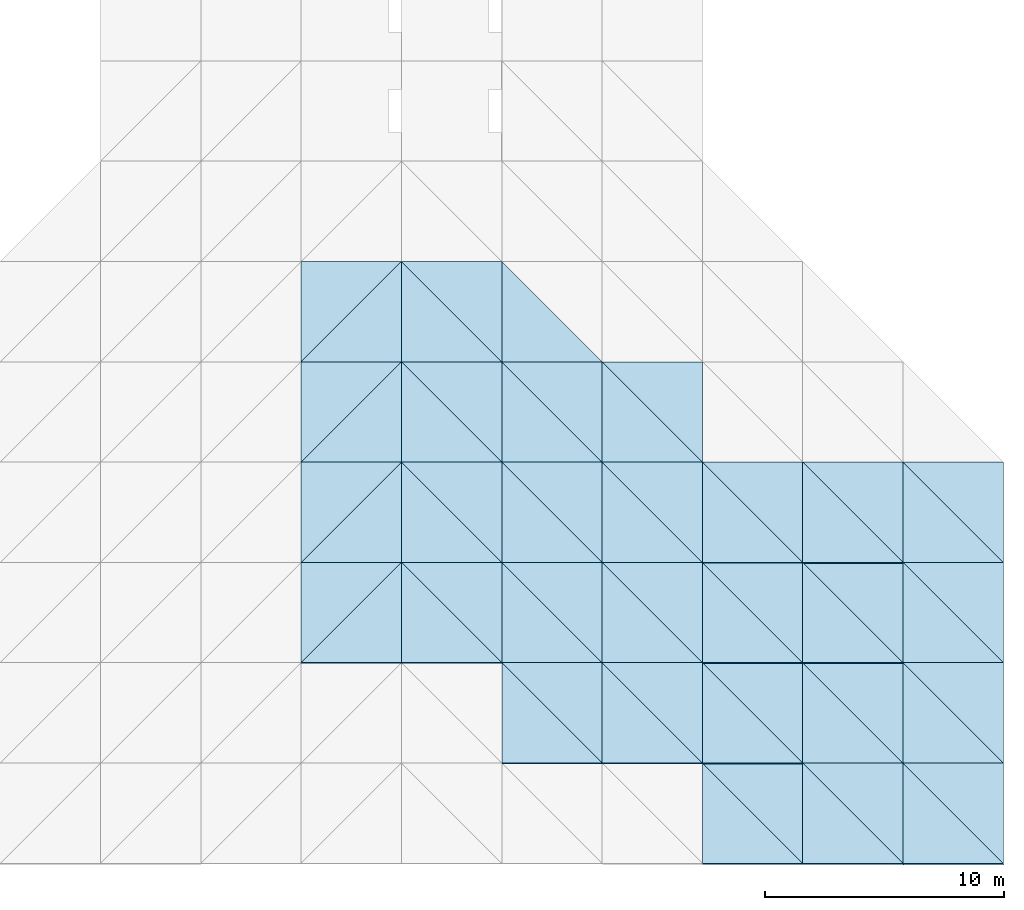
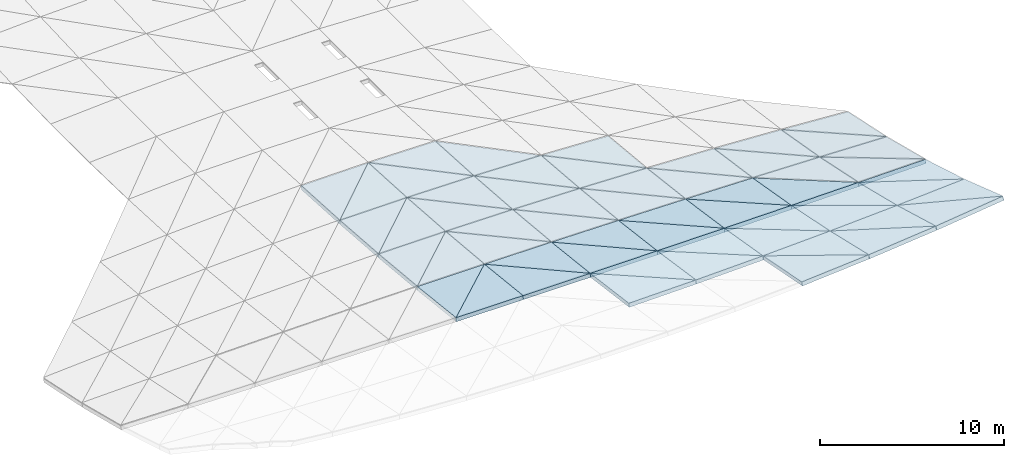
# One storey, part 22 of 64: 57 slabs.
"""IFC4 building model written with IfcOpenShell, lengths in metres."""

from ifc_helpers import new_model, si_unit, direction, frame, origin, place, context, subcontext, project, spatial, polyline, outline, extrude, material, layer, layer_set, type_object, element, save


model = new_model("IFC4")

# Units and contexts
model_context = context("Model", 3, precision=1e-05, world=origin(), true_north=direction((0.0, 1.0)))
body_context = subcontext(model_context, "Body", "Model", "MODEL_VIEW")
ifc_project = project(units=[si_unit("LENGTHUNIT", "METRE"), si_unit("AREAUNIT", "SQUARE_METRE"), si_unit("VOLUMEUNIT", "CUBIC_METRE"), si_unit("PLANEANGLEUNIT", "RADIAN"), si_unit("MASSUNIT", "GRAM", prefix="KILO")], contexts=[model_context])

# Site, building, storey
site_placement = place(None, origin())
site = spatial("IfcSite", under=ifc_project, at=site_placement, CompositionType="ELEMENT")
building_placement = place(site_placement, origin())
building = spatial("IfcBuilding", under=site, at=building_placement, Name="Cumbredor Promenade Congress Hotel", CompositionType="ELEMENT")
storey_placement = place(building_placement, frame((0.0, 0.0, 18.47998046875)))
storey = spatial("IfcBuildingStorey", under=building, at=storey_placement, Name="L05", CompositionType="ELEMENT", Elevation=18.47998046875)

# Slabs
ifc_material = material(Name="Concrete C40/50", Category="concrete")
ifc_layer = layer(ifc_material, 0.25, Name="Concrete C40/50", Category="concrete")
ifc_layer_set = layer_set([ifc_layer], Name="Concrete C40/50")
slab_type = type_object("IfcSlabType", Name="Catenary Space Frame Roof Deck 250mm", PredefinedType="ROOF", material=ifc_layer_set)
slab_1_placement = place(storey_placement, frame((159.60009765625, 8.39990234375, 1.863037109375), z_axis=(0.001328853117, 0.110057306226, 0.993924355017), x_axis=(0.999999106249, 0.0, -0.001336974914)))
element("IfcSlab", 1, at=slab_1_placement, inside=storey, type_object=slab_type, Name="Grand Ballroom Pavilion Sweeping Roof Deck Facet 6.3.1", PredefinedType="ROOF", context=body_context, shape_type="SweptSolid", body=[
    extrude(outline(polyline([(0.0, 0.0), (4.199954925590426, 0.0), (4.200576736432947, 4.225866422700114), (0.0, 0.0)])), origin(), (0.0, 0.0, -1.0), 0.25),
])
slab_2_placement = place(storey_placement, frame((159.60009765625, 8.39990234375, 1.863037109375), z_axis=(-0.002598780098, 0.113935446613, 0.993484755971), x_axis=(0.704876428447, 0.704917402488, -0.078997951174)))
element("IfcSlab", 2, at=slab_2_placement, inside=storey, type_object=slab_type, Name="Grand Ballroom Pavilion Sweeping Roof Deck Facet 6.3.2", PredefinedType="ROOF", context=body_context, shape_type="SweptSolid", body=[
    extrude(outline(polyline([(0.0, 0.0), (5.9584219337980695, -4.2327252813834093e-16), (2.9988432495284263, 2.9800343214729295), (0.0, 0.0)])), origin(), (0.0, 0.0, -1.0), 0.25),
])
slab_3_placement = place(storey_placement, frame((159.60009765625, 12.60009765625, 1.38134765625), z_axis=(-0.002604753796, 0.091860983861, 0.995768434377), x_axis=(0.999996578753, 0.0, 0.002615813872)))
element("IfcSlab", 3, at=slab_3_placement, inside=storey, type_object=slab_type, Name="Grand Ballroom Pavilion Sweeping Roof Deck Facet 6.4.1", PredefinedType="ROOF", context=body_context, shape_type="SweptSolid", body=[
    extrude(outline(polyline([(0.0, 0.0), (4.199965540994337, 0.0), (4.198952040844136, 4.217784635272283), (0.0, 0.0)])), origin(), (0.0, 0.0, -1.0), 0.25),
])
slab_4_placement = place(storey_placement, frame((159.60009765625, 12.60009765625, 1.38134765625), z_axis=(-0.005902205085, 0.095129658429, 0.995447392916), x_axis=(0.705690728944, 0.705690728944, -0.063254961578)))
element("IfcSlab", 4, at=slab_4_placement, inside=storey, type_object=slab_type, Name="Grand Ballroom Pavilion Sweeping Roof Deck Facet 6.4.2", PredefinedType="ROOF", context=body_context, shape_type="SweptSolid", body=[
    extrude(outline(polyline([(0.0, 0.0), (5.95154647724842, -2.255140518769849e-16), (2.989255070034826, 2.9774216348389313), (0.0, 0.0)])), origin(), (0.0, 0.0, -1.0), 0.25),
])
slab_5_placement = place(storey_placement, frame((159.60009765625, 16.800048828125, 0.97998046875), z_axis=(-0.005913003606, 0.073622691961, 0.997268637638), x_axis=(0.999982422767, 0.0, 0.005929094177)))
element("IfcSlab", 5, at=slab_5_placement, inside=storey, type_object=slab_type, Name="Grand Ballroom Pavilion Sweeping Roof Deck Facet 6.5.1", PredefinedType="ROOF", context=body_context, shape_type="SweptSolid", body=[
    extrude(outline(polyline([(0.0, 0.0), (4.200024996694476, 0.0), (4.19818663009183, 4.211380153595808), (0.0, 0.0)])), origin(), (0.0, 0.0, -1.0), 0.25),
])
slab_6_placement = place(storey_placement, frame((159.60009765625, 16.800048828125, 0.97998046875), z_axis=(-0.008519856159, 0.076215039786, 0.997055003378), x_axis=(0.706293290915, 0.706293290915, -0.047953878032)))
element("IfcSlab", 6, at=slab_6_placement, inside=storey, type_object=slab_type, Name="Grand Ballroom Pavilion Sweeping Roof Deck Facet 6.5.2", PredefinedType="ROOF", context=body_context, shape_type="SweptSolid", body=[
    extrude(outline(polyline([(0.0, 0.0), (5.946469017760241, -2.7755575615628914e-17), (2.9817926838902635, 2.975159168564669), (0.0, 0.0)])), origin(), (0.0, 0.0, -1.0), 0.25),
])
slab_7_placement = place(storey_placement, frame((159.60009765625, 21.0, 0.658935546875), z_axis=(-0.008531629051, 0.055310493103, 0.998432752196), x_axis=(0.999963493305, 0.0, 0.008544709267)))
element("IfcSlab", 7, at=slab_7_placement, inside=storey, type_object=slab_type, Name="Grand Ballroom Pavilion Sweeping Roof Deck Facet 6.6.1", PredefinedType="ROOF", context=body_context, shape_type="SweptSolid", body=[
    extrude(outline(polyline([(0.0, 0.0), (4.200104503807392, 0.0), (4.198116440347624, 4.206390301501358), (0.0, 0.0)])), origin(), (0.0, 0.0, -1.0), 0.25),
])
slab_8_placement = place(storey_placement, frame((159.60009765625, 21.0, 0.658935546875), z_axis=(-0.010445577254, 0.05721855096, 0.998307030598), x_axis=(0.706719051196, 0.706719051196, -0.0331114082)))
element("IfcSlab", 8, at=slab_8_placement, inside=storey, type_object=slab_type, Name="Grand Ballroom Pavilion Sweeping Roof Deck Facet 6.6.2", PredefinedType="ROOF", context=body_context, shape_type="SweptSolid", body=[
    extrude(outline(polyline([(0.0, 0.0), (5.94288658946826, 3.469446951953614e-18), (2.9761561733914985, 2.973219076178195), (0.0, 0.0)])), origin(), (0.0, 0.0, -1.0), 0.25),
])
slab_9_placement = place(storey_placement, frame((163.800048828125, 8.39990234375, 1.857421875), z_axis=(-0.001328853117, 0.110057306226, 0.993924355017), x_axis=(0.999999106249, 0.0, 0.001336974914)))
element("IfcSlab", 9, at=slab_9_placement, inside=storey, type_object=slab_type, Name="Grand Ballroom Pavilion Sweeping Roof Deck Facet 7.3.1", PredefinedType="ROOF", context=body_context, shape_type="SweptSolid", body=[
    extrude(outline(polyline([(0.0, 0.0), (4.199954925590426, 0.0), (-0.0006218108425215082, 4.225866422700114), (0.0, 0.0)])), origin(), (0.0, 0.0, -1.0), 0.25),
])
slab_10_placement = place(storey_placement, frame((168.0, 8.39990234375, 1.863037109375), z_axis=(0.002598780098, 0.113935446613, 0.993484755971), x_axis=(0.0, 0.993488110816, -0.113935831356)))
element("IfcSlab", 10, at=slab_10_placement, inside=storey, type_object=slab_type, Name="Grand Ballroom Pavilion Sweeping Roof Deck Facet 7.3.2", PredefinedType="ROOF", context=body_context, shape_type="SweptSolid", body=[
    extrude(outline(polyline([(0.0, 0.0), (4.227725794372056, 2.168404344971009e-19), (4.226474057943589, 4.199965354463746), (0.0, 0.0)])), origin(), (0.0, 0.0, -1.0), 0.25),
])
slab_11_placement = place(storey_placement, frame((163.800048828125, 12.60009765625, 1.392333984375), z_axis=(0.002604753796, 0.091860983861, 0.995768434377), x_axis=(0.999996578753, 0.0, -0.002615813872)))
element("IfcSlab", 11, at=slab_11_placement, inside=storey, type_object=slab_type, Name="Grand Ballroom Pavilion Sweeping Roof Deck Facet 7.4.1", PredefinedType="ROOF", context=body_context, shape_type="SweptSolid", body=[
    extrude(outline(polyline([(0.0, 0.0), (4.199965540994337, 0.0), (0.001013500150200461, 4.217784635272283), (0.0, 0.0)])), origin(), (0.0, 0.0, -1.0), 0.25),
])
slab_12_placement = place(storey_placement, frame((168.0, 12.60009765625, 1.38134765625), z_axis=(0.005902205085, 0.095129658429, 0.995447392916), x_axis=(0.0, 0.995464732084, -0.095131315442)))
element("IfcSlab", 12, at=slab_12_placement, inside=storey, type_object=slab_type, Name="Grand Ballroom Pavilion Sweeping Roof Deck Facet 7.4.2", PredefinedType="ROOF", context=body_context, shape_type="SweptSolid", body=[
    extrude(outline(polyline([(0.0, 0.0), (4.219085856596882, 4.336808689942018e-19), (4.21671686387836, 4.2000243285881025), (0.0, 0.0)])), origin(), (0.0, 0.0, -1.0), 0.25),
])
slab_13_placement = place(storey_placement, frame((163.800048828125, 16.800048828125, 1.0048828125), z_axis=(0.005913003606, 0.073622691961, 0.997268637638), x_axis=(0.999982422767, 0.0, -0.005929094177)))
element("IfcSlab", 13, at=slab_13_placement, inside=storey, type_object=slab_type, Name="Grand Ballroom Pavilion Sweeping Roof Deck Facet 7.5.1", PredefinedType="ROOF", context=body_context, shape_type="SweptSolid", body=[
    extrude(outline(polyline([(0.0, 0.0), (4.200024996694476, 0.0), (0.0018383666026466196, 4.211380153595807), (0.0, 0.0)])), origin(), (0.0, 0.0, -1.0), 0.25),
])
slab_14_placement = place(storey_placement, frame((168.0, 16.800048828125, 0.97998046875), z_axis=(0.008519856159, 0.076215039786, 0.997055003378), x_axis=(0.0, 0.997091192437, -0.076217806084)))
element("IfcSlab", 14, at=slab_14_placement, inside=storey, type_object=slab_type, Name="Grand Ballroom Pavilion Sweeping Roof Deck Facet 7.5.2", PredefinedType="ROOF", context=body_context, shape_type="SweptSolid", body=[
    extrude(outline(polyline([(0.0, 0.0), (4.21220366174238, 0.0), (4.209468305908816, 4.200103613094754), (0.0, 0.0)])), origin(), (0.0, 0.0, -1.0), 0.25),
])
slab_15_placement = place(storey_placement, frame((163.800048828125, 21.0, 0.69482421875), z_axis=(0.008531629051, 0.055310493103, 0.998432752196), x_axis=(0.999963493305, 0.0, -0.008544709267)))
element("IfcSlab", 15, at=slab_15_placement, inside=storey, type_object=slab_type, Name="Grand Ballroom Pavilion Sweeping Roof Deck Facet 7.6.1", PredefinedType="ROOF", context=body_context, shape_type="SweptSolid", body=[
    extrude(outline(polyline([(0.0, 0.0), (4.200104503807392, 0.0), (0.001988063459768659, 4.206390301501358), (0.0, 0.0)])), origin(), (0.0, 0.0, -1.0), 0.25),
])
slab_16_placement = place(storey_placement, frame((168.0, 21.0, 0.658935546875), z_axis=(0.010445577254, 0.05721855096, 0.998307030598), x_axis=(0.0, 0.998361497738, -0.057221672776)))
element("IfcSlab", 16, at=slab_16_placement, inside=storey, type_object=slab_type, Name="Grand Ballroom Pavilion Sweeping Roof Deck Facet 7.6.2", PredefinedType="ROOF", context=body_context, shape_type="SweptSolid", body=[
    extrude(outline(polyline([(0.0, 0.0), (4.20684409544331, 0.0), (4.204329471151387, 4.2001803191398315), (0.0, 0.0)])), origin(), (0.0, 0.0, -1.0), 0.25),
])
slab_17_placement = place(storey_placement, frame((168.0, 4.199951171875, 2.425048828125), z_axis=(-0.017742887004, 0.132610798325, 0.991009367326), x_axis=(0.999839764528, 0.0, 0.017900985146)))
element("IfcSlab", 17, at=slab_17_placement, inside=storey, type_object=slab_type, Name="Grand Ballroom Pavilion Sweeping Roof Deck Facet 8.2.1", PredefinedType="ROOF", context=body_context, shape_type="SweptSolid", body=[
    extrude(outline(polyline([(0.0, 0.0), (4.200624260887441, 1.734723475976807e-18), (-0.010060563429479457, 4.237374871687658), (0.0, 0.0)])), origin(), (0.0, 0.0, -1.0), 0.25),
])
slab_18_placement = place(storey_placement, frame((172.199951171875, 4.199951171875, 2.500244140625), z_axis=(-0.004025384366, 0.146063947006, 0.989266960767), x_axis=(0.0, 0.989274975767, -0.14606513041)))
element("IfcSlab", 18, at=slab_18_placement, inside=storey, type_object=slab_type, Name="Grand Ballroom Pavilion Sweeping Roof Deck Facet 8.2.2", PredefinedType="ROOF", context=body_context, shape_type="SweptSolid", body=[
    extrude(outline(polyline([(0.0, 0.0), (4.245484091639857, 0.0), (4.247980321895891, 4.199985199703458), (0.0, 0.0)])), origin(), (0.0, 0.0, -1.0), 0.25),
])
slab_19_placement = place(storey_placement, frame((168.0, 8.39990234375, 1.863037109375), z_axis=(-0.004042527438, 0.11393490038, 0.993479992978), x_axis=(0.999991721487, 0.0, 0.004069024037)))
element("IfcSlab", 19, at=slab_19_placement, inside=storey, type_object=slab_type, Name="Grand Ballroom Pavilion Sweeping Roof Deck Facet 8.3.1", PredefinedType="ROOF", context=body_context, shape_type="SweptSolid", body=[
    extrude(outline(polyline([(0.0, 0.0), (4.1999859415114225, -2.168404344971009e-19), (-0.001960005963012058, 4.227725340035166), (0.0, 0.0)])), origin(), (0.0, 0.0, -1.0), 0.25),
])
slab_20_placement = place(storey_placement, frame((172.199951171875, 8.39990234375, 1.880126953125), z_axis=(0.007727484194, 0.125535486958, 0.992059034283), x_axis=(0.0, 0.992088655522, -0.12553923524)))
element("IfcSlab", 20, at=slab_20_placement, inside=storey, type_object=slab_type, Name="Grand Ballroom Pavilion Sweeping Roof Deck Facet 8.3.2", PredefinedType="ROOF", context=body_context, shape_type="SweptSolid", body=[
    extrude(outline(polyline([(0.0, 0.0), (4.233689488456338, 0.0), (4.2295824919909615, 4.200076575458572), (0.0, 0.0)])), origin(), (0.0, 0.0, -1.0), 0.25),
])
slab_21_placement = place(storey_placement, frame((168.0, 12.60009765625, 1.38134765625), z_axis=(0.007753779236, 0.0951284557, 0.99543480742), x_axis=(0.999969664479, 0.0, -0.007789102775)))
element("IfcSlab", 21, at=slab_21_placement, inside=storey, type_object=slab_type, Name="Grand Ballroom Pavilion Sweeping Roof Deck Facet 8.4.1", PredefinedType="ROOF", context=body_context, shape_type="SweptSolid", body=[
    extrude(outline(polyline([(0.0, 0.0), (4.200078583447668, 0.0), (0.003126290273993169, 4.21908469832557), (0.0, 0.0)])), origin(), (0.0, 0.0, -1.0), 0.25),
])
slab_22_placement = place(storey_placement, frame((172.199951171875, 12.60009765625, 1.3486328125), z_axis=(0.017571191108, 0.104849146938, 0.994332896785), x_axis=(0.0, 0.994486430867, -0.104865336604)))
element("IfcSlab", 22, at=slab_22_placement, inside=storey, type_object=slab_type, Name="Grand Ballroom Pavilion Sweeping Roof Deck Facet 8.4.2", PredefinedType="ROOF", context=body_context, shape_type="SweptSolid", body=[
    extrude(outline(polyline([(0.0, 0.0), (4.2232362770526475, -8.673617379884035e-19), (4.215453302851594, 4.20059968269988), (0.0, 0.0)])), origin(), (0.0, 0.0, -1.0), 0.25),
])
slab_23_placement = place(storey_placement, frame((168.0, 16.800048828125, 0.97998046875), z_axis=(0.017617199354, 0.076205977469, 0.99693644897), x_axis=(0.999843898494, 0.0, -0.017668577873)))
element("IfcSlab", 23, at=slab_23_placement, inside=storey, type_object=slab_type, Name="Grand Ballroom Pavilion Sweeping Roof Deck Facet 8.5.1", PredefinedType="ROOF", context=body_context, shape_type="SweptSolid", body=[
    extrude(outline(polyline([(0.0, 0.0), (4.200606892936514, -8.673617379884035e-19), (0.005672407202748996, 4.21219984233802), (0.0, 0.0)])), origin(), (0.0, 0.0, -1.0), 0.25),
])
slab_24_placement = place(storey_placement, frame((172.199951171875, 16.800048828125, 0.90576171875), z_axis=(0.025478163605, 0.084020034981, 0.996138292056), x_axis=(0.0, 0.99646176457, -0.084047318514)))
element("IfcSlab", 24, at=slab_24_placement, inside=storey, type_object=slab_type, Name="Grand Ballroom Pavilion Sweeping Roof Deck Facet 8.5.2", PredefinedType="ROOF", context=body_context, shape_type="SweptSolid", body=[
    extrude(outline(polyline([(0.0, 0.0), (4.214864354264433, 1.734723475976807e-18), (4.2058358337209665, 4.201315007373227), (0.0, 0.0)])), origin(), (0.0, 0.0, -1.0), 0.25),
])
slab_25_placement = place(storey_placement, frame((168.0, 21.0, 0.658935546875), z_axis=(0.025526705562, 0.057203026554, 0.998036172218), x_axis=(0.999673070611, 0.0, -0.025568572404)))
element("IfcSlab", 25, at=slab_25_placement, inside=storey, type_object=slab_type, Name="Grand Ballroom Pavilion Sweeping Roof Deck Facet 8.6.1", PredefinedType="ROOF", context=body_context, shape_type="SweptSolid", body=[
    extrude(outline(polyline([(0.0, 0.0), (4.201324708394092, 0.0), (0.006154934665652094, 4.206839592870818), (0.0, 0.0)])), origin(), (0.0, 0.0, -1.0), 0.25),
])
slab_26_placement = place(storey_placement, frame((172.199951171875, 4.199951171875, 2.500244140625), z_axis=(-0.029545158149, 0.14600136517, 0.988843104339), x_axis=(0.99955393597, 0.0, 0.029865181834)))
element("IfcSlab", 26, at=slab_26_placement, inside=storey, type_object=slab_type, Name="Grand Ballroom Pavilion Sweeping Roof Deck Facet 9.2.1", PredefinedType="ROOF", context=body_context, shape_type="SweptSolid", body=[
    extrude(outline(polyline([(0.0, 0.0), (4.201825455068936, 0.0), (-0.01851991256302252, 4.245443697095246), (0.0, 0.0)])), origin(), (0.0, 0.0, -1.0), 0.25),
])
slab_27_placement = place(storey_placement, frame((176.39990234375, 4.199951171875, 2.625732421875), z_axis=(-0.006703986431, 0.168287249121, 0.98571520144), x_axis=(0.0, 0.985737352899, -0.168291030952)))
element("IfcSlab", 27, at=slab_27_placement, inside=storey, type_object=slab_type, Name="Grand Ballroom Pavilion Sweeping Roof Deck Facet 9.2.2", PredefinedType="ROOF", context=body_context, shape_type="SweptSolid", body=[
    extrude(outline(polyline([(0.0, 0.0), (4.260720322225189, 8.673617379884035e-19), (4.265527463490172, 4.2000455551707265), (0.0, 0.0)])), origin(), (0.0, 0.0, -1.0), 0.25),
])
slab_28_placement = place(storey_placement, frame((172.199951171875, 8.39990234375, 1.880126953125), z_axis=(-0.006747179594, 0.125536377656, 0.992066073128), x_axis=(0.999976873054, 0.0, 0.006800982047)))
element("IfcSlab", 28, at=slab_28_placement, inside=storey, type_object=slab_type, Name="Grand Ballroom Pavilion Sweeping Roof Deck Facet 9.3.1", PredefinedType="ROOF", context=body_context, shape_type="SweptSolid", body=[
    extrude(outline(polyline([(0.0, 0.0), (4.200048306164646, 0.0), (-0.0036146821082537867, 4.233687945366184), (0.0, 0.0)])), origin(), (0.0, 0.0, -1.0), 0.25),
])
slab_29_placement = place(storey_placement, frame((176.39990234375, 8.39990234375, 1.90869140625), z_axis=(0.012825256023, 0.14475019298, 0.989385109267), x_axis=(0.0, 0.989466489896, -0.144762099225)))
element("IfcSlab", 29, at=slab_29_placement, inside=storey, type_object=slab_type, Name="Grand Ballroom Pavilion Sweeping Roof Deck Facet 9.3.2", PredefinedType="ROOF", context=body_context, shape_type="SweptSolid", body=[
    extrude(outline(polyline([(0.0, 0.0), (4.244909105451071, 8.673617379884035e-19), (4.237027770459077, 4.200296633581129), (0.0, 0.0)])), origin(), (0.0, 0.0, -1.0), 0.25),
])
slab_30_placement = place(storey_placement, frame((172.199951171875, 12.60009765625, 1.3486328125), z_axis=(0.012890312655, 0.104856624021, 0.994403805422), x_axis=(0.999915992778, 0.0, -0.012961766342)))
element("IfcSlab", 30, at=slab_30_placement, inside=storey, type_object=slab_type, Name="Grand Ballroom Pavilion Sweeping Roof Deck Facet 9.4.1", PredefinedType="ROOF", context=body_context, shape_type="SweptSolid", body=[
    extrude(outline(polyline([(0.0, 0.0), (4.20030402774778, 0.0), (0.005740391637021378, 4.2232323757659085), (0.0, 0.0)])), origin(), (0.0, 0.0, -1.0), 0.25),
])
slab_31_placement = place(storey_placement, frame((176.39990234375, 12.60009765625, 1.294189453125), z_axis=(0.029242340256, 0.121006765005, 0.992220866722), x_axis=(0.0, 0.992645370198, -0.121058535527)))
element("IfcSlab", 31, at=slab_31_placement, inside=storey, type_object=slab_type, Name="Grand Ballroom Pavilion Sweeping Roof Deck Facet 9.4.2", PredefinedType="ROOF", context=body_context, shape_type="SweptSolid", body=[
    extrude(outline(polyline([(0.0, 0.0), (4.23106911891027, -1.734723475976807e-18), (4.216084578501985, 4.201748043852441), (0.0, 0.0)])), origin(), (0.0, 0.0, -1.0), 0.25),
])
slab_32_placement = place(storey_placement, frame((172.199951171875, 16.800048828125, 0.90576171875), z_axis=(0.029354670726, 0.084011099061, 0.99603234814), x_axis=(0.999565994989, 0.0, -0.029458812966)))
element("IfcSlab", 32, at=slab_32_placement, inside=storey, type_object=slab_type, Name="Grand Ballroom Pavilion Sweeping Roof Deck Facet 9.5.1", PredefinedType="ROOF", context=body_context, shape_type="SweptSolid", body=[
    extrude(outline(polyline([(0.0, 0.0), (4.201774763176752, 0.0), (0.01043572695657247, 4.214851435157807), (0.0, 0.0)])), origin(), (0.0, 0.0, -1.0), 0.25),
])
slab_33_placement = place(storey_placement, frame((176.39990234375, 16.800048828125, 0.781982421875), z_axis=(0.042427203509, 0.096992980229, 0.9943803569), x_axis=(0.0, 0.995276542908, -0.097080395222)))
element("IfcSlab", 33, at=slab_33_placement, inside=storey, type_object=slab_type, Name="Grand Ballroom Pavilion Sweeping Roof Deck Facet 9.5.2", PredefinedType="ROOF", context=body_context, shape_type="SweptSolid", body=[
    extrude(outline(polyline([(0.0, 0.0), (4.2198836110435485, 0.0), (4.202486880063865, 4.2037363808742825), (0.0, 0.0)])), origin(), (0.0, 0.0, -1.0), 0.25),
])
slab_34_placement = place(storey_placement, frame((176.39990234375, 0.0, 3.445068359375), z_axis=(-0.077017025441, 0.190904107855, 0.97858264822), x_axis=(0.996917261958, 0.0, 0.078460007713)))
element("IfcSlab", 34, at=slab_34_placement, inside=storey, type_object=slab_type, Name="Grand Ballroom Pavilion Sweeping Roof Deck Facet 10.1.1", PredefinedType="ROOF", context=body_context, shape_type="SweptSolid", body=[
    extrude(outline(polyline([(0.0, 0.0), (4.213183453410024, 0.0), (-0.06428510397562583, 4.278640981669301), (0.0, 0.0)])), origin(), (0.0, 0.0, -1.0), 0.25),
])
slab_35_placement = place(storey_placement, frame((180.60009765625, 0.0, 3.775634765625), z_axis=(-0.040677695576, 0.225805452077, 0.973322774261), x_axis=(0.0, 0.974129041372, -0.225992501547)))
element("IfcSlab", 35, at=slab_35_placement, inside=storey, type_object=slab_type, Name="Grand Ballroom Pavilion Sweeping Roof Deck Facet 10.1.2", PredefinedType="ROOF", context=body_context, shape_type="SweptSolid", body=[
    extrude(outline(polyline([(0.0, 0.0), (4.311493645605063, 6.938893903907228e-18), (4.351163716067078, 4.20367460984128), (0.0, 0.0)])), origin(), (0.0, 0.0, -1.0), 0.25),
])
slab_36_placement = place(storey_placement, frame((176.39990234375, 4.199951171875, 2.625732421875), z_axis=(-0.041161619171, 0.168148404543, 0.984901941899), x_axis=(0.999127831372, 0.0, 0.04175615617)))
element("IfcSlab", 36, at=slab_36_placement, inside=storey, type_object=slab_type, Name="Grand Ballroom Pavilion Sweeping Roof Deck Facet 10.2.1", PredefinedType="ROOF", context=body_context, shape_type="SweptSolid", body=[
    extrude(outline(polyline([(0.0, 0.0), (4.203861788869219, 0.0), (-0.02994087662905381, 4.260615120863348), (0.0, 0.0)])), origin(), (0.0, 0.0, -1.0), 0.25),
])
slab_37_placement = place(storey_placement, frame((180.60009765625, 4.199951171875, 2.80126953125), z_axis=(-0.009341734827, 0.1989221602, 0.979970768019), x_axis=(0.0, 0.980013530867, -0.198930840539)))
element("IfcSlab", 37, at=slab_37_placement, inside=storey, type_object=slab_type, Name="Grand Ballroom Pavilion Sweeping Roof Deck Facet 10.2.2", PredefinedType="ROOF", context=body_context, shape_type="SweptSolid", body=[
    extrude(outline(polyline([(0.0, 0.0), (4.285605289713761, 0.0), (4.293570294071269, 4.200378595838528), (0.0, 0.0)])), origin(), (0.0, 0.0, -1.0), 0.25),
])
slab_38_placement = place(storey_placement, frame((176.39990234375, 8.39990234375, 1.90869140625), z_axis=(-0.009431834826, 0.144755660099, 0.989422477691), x_axis=(0.999954567228, 0.0, 0.009532233726)))
element("IfcSlab", 38, at=slab_38_placement, inside=storey, type_object=slab_type, Name="Grand Ballroom Pavilion Sweeping Roof Deck Facet 10.3.1", PredefinedType="ROOF", context=body_context, shape_type="SweptSolid", body=[
    extrude(outline(polyline([(0.0, 0.0), (4.20038614768605, -8.673617379884035e-19), (-0.005857576242388593, 4.244905063996365), (0.0, 0.0)])), origin(), (0.0, 0.0, -1.0), 0.25),
])
slab_39_placement = place(storey_placement, frame((180.60009765625, 8.39990234375, 1.94873046875), z_axis=(0.017921163878, 0.171424807192, 0.985034196038), x_axis=(0.0, 0.985192414938, -0.171452341916)))
element("IfcSlab", 39, at=slab_39_placement, inside=storey, type_object=slab_type, Name="Grand Ballroom Pavilion Sweeping Roof Deck Facet 10.3.2", PredefinedType="ROOF", context=body_context, shape_type="SweptSolid", body=[
    extrude(outline(polyline([(0.0, 0.0), (4.263324857981243, 3.469446951953614e-18), (4.25022315314244, 4.200869959415703), (0.0, 0.0)])), origin(), (0.0, 0.0, -1.0), 0.25),
])
slab_40_placement = place(storey_placement, frame((176.39990234375, 12.60009765625, 1.294189453125), z_axis=(0.018056692985, 0.121038798704, 0.992483533892), x_axis=(0.999834540383, 0.0, -0.018190433105)))
element("IfcSlab", 40, at=slab_40_placement, inside=storey, type_object=slab_type, Name="Grand Ballroom Pavilion Sweeping Roof Deck Facet 10.4.1", PredefinedType="ROOF", context=body_context, shape_type="SweptSolid", body=[
    extrude(outline(polyline([(0.0, 0.0), (4.200890390213838, -1.734723475976807e-18), (0.009317267737909838, 4.231058860086683), (0.0, 0.0)])), origin(), (0.0, 0.0, -1.0), 0.25),
])
slab_41_placement = place(storey_placement, frame((180.60009765625, 12.60009765625, 1.2177734375), z_axis=(0.040751093511, 0.143355620727, 0.988831893895), x_axis=(0.0, 0.989653970568, -0.143474801058)))
element("IfcSlab", 41, at=slab_41_placement, inside=storey, type_object=slab_type, Name="Grand Ballroom Pavilion Sweeping Roof Deck Facet 10.4.2", PredefinedType="ROOF", context=body_context, shape_type="SweptSolid", body=[
    extrude(outline(polyline([(0.0, 0.0), (4.243858254278096, 0.0), (4.219023382708278, 4.203687192779861), (0.0, 0.0)])), origin(), (0.0, 0.0, -1.0), 0.25),
])
slab_42_placement = place(storey_placement, frame((180.60009765625, 0.0, 3.775634765625), z_axis=(-0.098109442037, 0.224902230425, 0.969429483837), x_axis=(0.994917953198, 0.0, 0.1006889587)))
element("IfcSlab", 42, at=slab_42_placement, inside=storey, type_object=slab_type, Name="Grand Ballroom Pavilion Sweeping Roof Deck Facet 11.1.1", PredefinedType="ROOF", context=body_context, shape_type="SweptSolid", body=[
    extrude(outline(polyline([(0.0, 0.0), (4.2214045473544255, 0.0), (-0.09810782084280131, 4.310377281814471), (0.0, 0.0)])), origin(), (0.0, 0.0, -1.0), 0.25),
])
slab_43_placement = place(storey_placement, frame((184.800048828125, 0.0, 4.20068359375), z_axis=(-0.051660124766, 0.268811558307, 0.961806413801), x_axis=(0.0, 0.963092407715, -0.269170975777)))
element("IfcSlab", 43, at=slab_43_placement, inside=storey, type_object=slab_type, Name="Grand Ballroom Pavilion Sweeping Roof Deck Facet 11.1.2", PredefinedType="ROOF", context=body_context, shape_type="SweptSolid", body=[
    extrude(outline(polyline([(0.0, 0.0), (4.360901548209407, -6.938893903907228e-18), (4.421622735127905, 4.205566763088081), (0.0, 0.0)])), origin(), (0.0, 0.0, -1.0), 0.25),
])
slab_44_placement = place(storey_placement, frame((180.60009765625, 4.199951171875, 2.80126953125), z_axis=(-0.052565284808, 0.198655816612, 0.978658652115), x_axis=(0.998560647635, 0.0, 0.053634252073)))
element("IfcSlab", 44, at=slab_44_placement, inside=storey, type_object=slab_type, Name="Grand Ballroom Pavilion Sweeping Roof Deck Facet 11.2.1", PredefinedType="ROOF", context=body_context, shape_type="SweptSolid", body=[
    extrude(outline(polyline([(0.0, 0.0), (4.206005095257487, 0.0), (-0.045725294980333335, 4.285361349597199), (0.0, 0.0)])), origin(), (0.0, 0.0, -1.0), 0.25),
])
slab_45_placement = place(storey_placement, frame((184.800048828125, 4.199951171875, 3.02685546875), z_axis=(-0.011857071565, 0.237480204781, 0.971320010188), x_axis=(0.0, 0.971388296399, -0.23749690023)))
element("IfcSlab", 45, at=slab_45_placement, inside=storey, type_object=slab_type, Name="Grand Ballroom Pavilion Sweeping Roof Deck Facet 11.2.2", PredefinedType="ROOF", context=body_context, shape_type="SweptSolid", body=[
    extrude(outline(polyline([(0.0, 0.0), (4.323658404619399, 1.734723475976807e-18), (4.335834759367513, 4.2002464388835365), (0.0, 0.0)])), origin(), (0.0, 0.0, -1.0), 0.25),
])
slab_46_placement = place(storey_placement, frame((180.60009765625, 8.39990234375, 1.94873046875), z_axis=(-0.012025544789, 0.171439944287, 0.985121176189), x_axis=(0.999925500788, 0.0, 0.012206263743)))
element("IfcSlab", 46, at=slab_46_placement, inside=storey, type_object=slab_type, Name="Grand Ballroom Pavilion Sweeping Roof Deck Facet 11.3.1", PredefinedType="ROOF", context=body_context, shape_type="SweptSolid", body=[
    extrude(outline(polyline([(0.0, 0.0), (4.200264088241212, 0.0), (-0.008922254308007442, 4.26331552175755), (0.0, 0.0)])), origin(), (0.0, 0.0, -1.0), 0.25),
])
slab_47_placement = place(storey_placement, frame((184.800048828125, 8.39990234375, 2.0), z_axis=(0.022865039606, 0.205090896149, 0.978475811801), x_axis=(0.0, 0.978731690625, -0.20514452897)))
element("IfcSlab", 47, at=slab_47_placement, inside=storey, type_object=slab_type, Name="Grand Ballroom Pavilion Sweeping Roof Deck Facet 11.3.2", PredefinedType="ROOF", context=body_context, shape_type="SweptSolid", body=[
    extrude(outline(polyline([(0.0, 0.0), (4.291467572504486, -3.469446951953614e-18), (4.271333758870258, 4.2010494908649925), (0.0, 0.0)])), origin(), (0.0, 0.0, -1.0), 0.25),
])
slab_48_placement = place(storey_placement, frame((180.60009765625, 12.60009765625, 1.2177734375), z_axis=(0.023120069261, 0.143436449594, 0.989389431582), x_axis=(0.999727079655, 0.0, -0.023361639599)))
element("IfcSlab", 48, at=slab_48_placement, inside=storey, type_object=slab_type, Name="Grand Ballroom Pavilion Sweeping Roof Deck Facet 11.4.1", PredefinedType="ROOF", context=body_context, shape_type="SweptSolid", body=[
    extrude(outline(polyline([(0.0, 0.0), (4.2010977369193006, 1.734723475976807e-18), (0.014224592080043116, 4.243834415170376), (0.0, 0.0)])), origin(), (0.0, 0.0, -1.0), 0.25),
])
slab_49_placement = place(storey_placement, frame((184.800048828125, 12.60009765625, 1.11962890625), z_axis=(0.052209220159, 0.17183867095, 0.983740651034), x_axis=(0.0, 0.985084139669, -0.17207334998)))
element("IfcSlab", 49, at=slab_49_placement, inside=storey, type_object=slab_type, Name="Grand Ballroom Pavilion Sweeping Roof Deck Facet 11.4.2", PredefinedType="ROOF", context=body_context, shape_type="SweptSolid", body=[
    extrude(outline(polyline([(0.0, 0.0), (4.26354562290262, 0.0), (4.2251904059759475, 4.205687019692439), (0.0, 0.0)])), origin(), (0.0, 0.0, -1.0), 0.25),
])
slab_50_placement = place(storey_placement, frame((184.800048828125, 0.0, 4.20068359375), z_axis=(-0.118242562971, 0.267282671727, 0.956336065249), x_axis=(0.992442958388, 0.0, 0.122706863483)))
element("IfcSlab", 50, at=slab_50_placement, inside=storey, type_object=slab_type, Name="Grand Ballroom Pavilion Sweeping Roof Deck Facet 12.1.1", PredefinedType="ROOF", context=body_context, shape_type="SweptSolid", body=[
    extrude(outline(polyline([(0.0, 0.0), (4.231932058539838, 0.0), (-0.1440367674864429, 4.3585221948255874), (0.0, 0.0)])), origin(), (0.0, 0.0, -1.0), 0.25),
])
slab_51_placement = place(storey_placement, frame((189.0, 0.0, 4.719970703125), z_axis=(-0.06211809951, 0.31911112182, 0.945679350332), x_axis=(0.0, 0.947509174268, -0.319728579703)))
element("IfcSlab", 51, at=slab_51_placement, inside=storey, type_object=slab_type, Name="Grand Ballroom Pavilion Sweeping Roof Deck Facet 12.1.2", PredefinedType="ROOF", context=body_context, shape_type="SweptSolid", body=[
    extrude(outline(polyline([(0.0, 0.0), (4.432623225122052, 0.0), (4.520829595987269, 4.208077786019012), (0.0, 0.0)])), origin(), (0.0, 0.0, -1.0), 0.25),
])
slab_52_placement = place(storey_placement, frame((184.800048828125, 4.199951171875, 3.02685546875), z_axis=(-0.063677329507, 0.237014909652, 0.96941690222), x_axis=(0.997849616578, 0.0, 0.065544966967)))
element("IfcSlab", 52, at=slab_52_placement, inside=storey, type_object=slab_type, Name="Grand Ballroom Pavilion Sweeping Roof Deck Facet 12.2.1", PredefinedType="ROOF", context=body_context, shape_type="SweptSolid", body=[
    extrude(outline(polyline([(0.0, 0.0), (4.20900214029975, 0.0), (-0.06730520777910708, 4.323134511999573), (0.0, 0.0)])), origin(), (0.0, 0.0, -1.0), 0.25),
])
slab_53_placement = place(storey_placement, frame((189.0, 4.199951171875, 3.302734375), z_axis=(-0.014270419039, 0.283178627796, 0.958961010626), x_axis=(0.0, 0.959058669282, -0.283207466137)))
element("IfcSlab", 53, at=slab_53_placement, inside=storey, type_object=slab_type, Name="Grand Ballroom Pavilion Sweeping Roof Deck Facet 12.2.2", PredefinedType="ROOF", context=body_context, shape_type="SweptSolid", body=[
    extrude(outline(polyline([(0.0, 0.0), (4.379243216706036, -3.469446951953614e-18), (4.396943683339585, 4.20037888643574), (0.0, 0.0)])), origin(), (0.0, 0.0, -1.0), 0.25),
])
slab_54_placement = place(storey_placement, frame((184.800048828125, 8.39990234375, 2.0), z_axis=(-0.014563084466, 0.205122773939, 0.978627898735), x_axis=(0.99988929444, 0.0, 0.014879477962)))
element("IfcSlab", 54, at=slab_54_placement, inside=storey, type_object=slab_type, Name="Grand Ballroom Pavilion Sweeping Roof Deck Facet 12.3.1", PredefinedType="ROOF", context=body_context, shape_type="SweptSolid", body=[
    extrude(outline(polyline([(0.0, 0.0), (4.200416181300871, -1.734723475976807e-18), (-0.013099462287647483, 4.291447579773674), (0.0, 0.0)])), origin(), (0.0, 0.0, -1.0), 0.25),
])
slab_55_placement = place(storey_placement, frame((189.0, 8.39990234375, 2.0625), z_axis=(0.027714884433, 0.24525120471, 0.969063327017), x_axis=(0.0, 0.969435717511, -0.245345449549)))
element("IfcSlab", 55, at=slab_55_placement, inside=storey, type_object=slab_type, Name="Grand Ballroom Pavilion Sweeping Roof Deck Facet 12.3.2", PredefinedType="ROOF", context=body_context, shape_type="SweptSolid", body=[
    extrude(outline(polyline([(0.0, 0.0), (4.332618694187362, 0.0), (4.303148488821607, 4.2015651240773115), (0.0, 0.0)])), origin(), (0.0, 0.0, -1.0), 0.25),
])
slab_56_placement = place(storey_placement, frame((184.800048828125, 12.60009765625, 1.11962890625), z_axis=(0.028161900128, 0.172005101393, 0.984693430706), x_axis=(0.999591280357, 0.0, -0.028587973606)))
element("IfcSlab", 56, at=slab_56_placement, inside=storey, type_object=slab_type, Name="Grand Ballroom Pavilion Sweeping Roof Deck Facet 12.4.1", PredefinedType="ROOF", context=body_context, shape_type="SweptSolid", body=[
    extrude(outline(polyline([(0.0, 0.0), (4.2016684763159375, 0.0), (0.020973354659311716, 4.263494036229724), (0.0, 0.0)])), origin(), (0.0, 0.0, -1.0), 0.25),
])
slab_57_placement = place(storey_placement, frame((189.0, 12.60009765625, 0.99951171875), z_axis=(0.063292145756, 0.205940721797, 0.976515500845), x_axis=(0.0, 0.978477306539, -0.206354453765)))
element("IfcSlab", 57, at=slab_57_placement, inside=storey, type_object=slab_type, Name="Grand Ballroom Pavilion Sweeping Roof Deck Facet 12.4.2", PredefinedType="ROOF", context=body_context, shape_type="SweptSolid", body=[
    extrude(outline(polyline([(0.0, 0.0), (4.292333755528742, 0.0), (4.236160607103893, 4.208388813789799), (0.0, 0.0)])), origin(), (0.0, 0.0, -1.0), 0.25),
])

save(model, "model.ifc")
